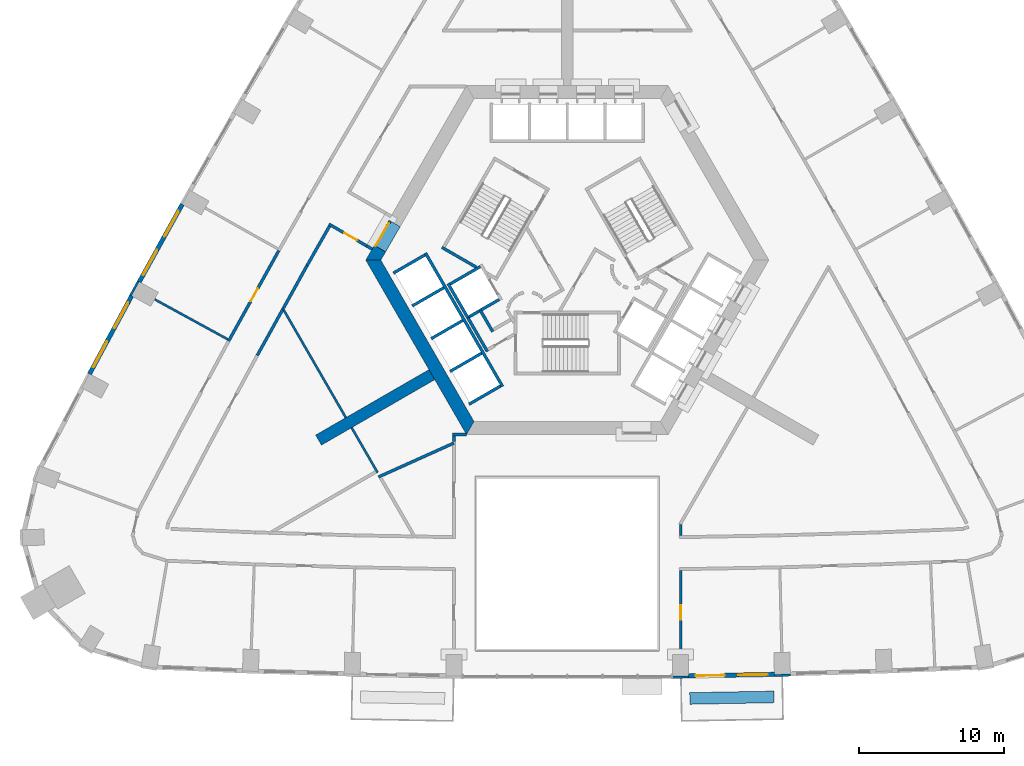
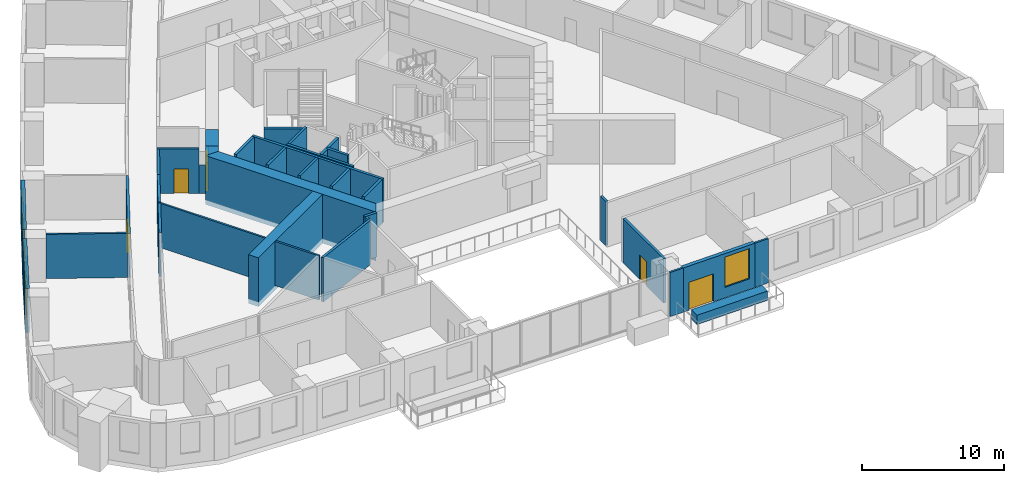
# One storey, part 5 of 13: 38 walls, 5 doors, 5 windows, 10 openings.
"""IFC4 building model written with IfcOpenShell, lengths in metres."""

from ifc_helpers import new_model, si_unit, direction, frame, frame_2d, origin, place, context, subcontext, project, spatial, polyline, rectangle, outline, extrude, material, layer, layer_set, type_object, element, fill, save


model = new_model("IFC4")

# Units and contexts
model_context = context("Model", 3, precision=1e-05, world=origin(), true_north=direction((0.0, 1.0)))
body_context = subcontext(model_context, "Body", "Model", "MODEL_VIEW")
ifc_project = project(units=[si_unit("LENGTHUNIT", "METRE"), si_unit("AREAUNIT", "SQUARE_METRE"), si_unit("VOLUMEUNIT", "CUBIC_METRE"), si_unit("PLANEANGLEUNIT", "RADIAN"), si_unit("MASSUNIT", "GRAM", prefix="KILO")], contexts=[model_context])

# Site, building, storey
site_placement = place(None, origin())
site = spatial("IfcSite", under=ifc_project, at=site_placement, CompositionType="ELEMENT")
building_placement = place(site_placement, origin())
building = spatial("IfcBuilding", under=site, at=building_placement, Name="Entoto Arch Interchange Tower", CompositionType="ELEMENT")
storey_placement = place(building_placement, frame((0.0, 0.0, 90.800048828125)))
storey = spatial("IfcBuildingStorey", under=building, at=storey_placement, Name="L19", CompositionType="ELEMENT", Elevation=90.800048828125)

# Wall
ifc_material_1 = material(Name="Concrete C60/75", Category="concrete")
ifc_layer_1 = layer(ifc_material_1, 0.800048828125)
ifc_layer_set_1 = layer_set([ifc_layer_1], Name="Concrete C60/75")
wall_type_1 = type_object("IfcWallType", Name="Buttress wall 800 C60/75", PredefinedType="SHEAR", material=ifc_layer_set_1)
wall_1_placement = place(storey_placement, frame((-9.31005859375, -5.375, -0.400146484375), z_axis=(0.0, 0.0, 1.0), x_axis=(-0.866017533419, -0.500013631625, 0.0)))
element("IfcWall", 1, at=wall_1_placement, inside=storey, type_object=wall_type_1, Name="Buttress wall SW L19", PredefinedType="SHEAR", context=body_context, shape_type="SweptSolid", body=[
    extrude(rectangle(XDim=8.999755859375, YDim=0.800048828125, at=frame_2d((4.5, 0.0))), origin(), (0.0, 0.0, 1.0), 4.2001953125),
])

# Wall, opening, door
ifc_material_2 = material(Name="Reinforced concrete C40/50", Category="concrete")
ifc_layer_2 = layer(ifc_material_2, 0.199951171875)
ifc_layer_set_2 = layer_set([ifc_layer_2], Name="Reinforced concrete C40/50")
wall_type_2 = type_object("IfcWallType", Name="CORE GAP INFILL WALL", PredefinedType="PARTITIONING", material=ifc_layer_set_2)
wall_2_placement = place(storey_placement, frame((-12.179931640625, 5.201904296875, 0.0), z_axis=(0.0, 0.0, 1.0), x_axis=(-0.50002537861, -0.866010750942, 0.0)))
wall_2 = element("IfcWall", 2, at=wall_2_placement, inside=storey, type_object=wall_type_2, Name="wall:L19:gap3", PredefinedType="PARTITIONING", context=body_context, shape_type="SweptSolid", body=[
    extrude(rectangle(XDim=2.0, YDim=0.199951171875, at=frame_2d((1.0, 0.0))), origin(), (0.0, 0.0, 1.0), 2.39990234375),
])
opening_1_placement = place(wall_2_placement, frame((0.18994140625, 0.0, 0.0)))
opening_1 = element("IfcOpeningElement", 3, at=opening_1_placement, cuts=wall_2, Name="Opening L19-D93", PredefinedType="OPENING", context=body_context, shape_type="SweptSolid", body=[
    extrude(rectangle(XDim=1.800048828125, YDim=2.10009765625, at=frame_2d((0.89990234375, 1.050048828125))), frame((0.0, 0.10986328125, 0.0), z_axis=(0.0, -1.0, 0.0), x_axis=(1.0, 0.0, 0.0)), (0.0, 0.0, 1.0), 0.219970703125),
])
ifc_material_3 = material(Name="Fire-rated Steel S235 door and frame", Category="steel")
door_type_1 = type_object("IfcDoorType", Name="DOOR FD-18 1800x2100", OperationType="DOUBLE_DOOR_SINGLE_SWING", PredefinedType="DOOR", material=ifc_material_3)
door_1_placement = place(opening_1_placement, origin())
door_1 = element("IfcDoor", 4, at=door_1_placement, inside=storey, type_object=door_type_1, Name="door:L19:gap3", OperationType="DOUBLE_DOOR_SINGLE_SWING", OverallHeight=2.10009765625, OverallWidth=1.800048828125, PredefinedType="DOOR", context=body_context, shape_type="SweptSolid", body=[
    extrude(rectangle(XDim=1.800048828125, YDim=2.10009765625, at=frame_2d((0.89990234375, 1.050048828125))), frame((0.0, 0.02490234375, 0.0), z_axis=(0.0, -1.0, 0.0), x_axis=(1.0, 0.0, 0.0)), (0.0, 0.0, 1.0), 0.050048828125),
])
fill(opening_1, door_1)

# Walls
ifc_layer_3 = layer(ifc_material_1, 0.89990234375)
ifc_layer_set_3 = layer_set([ifc_layer_3], Name="Concrete C60/75")
wall_type_3 = type_object("IfcWallType", Name="Core wall 900 C60/75", PredefinedType="SHEAR", material=ifc_layer_set_3)
wall_3_placement = place(storey_placement, frame((0.0, 0.0, -0.400146484375)))
element("IfcWall", 5, at=wall_3_placement, inside=storey, type_object=wall_type_3, Name="Core wall NW L19", PredefinedType="SHEAR", context=body_context, shape_type="SweptSolid", body=[
    extrude(outline(polyline([(-12.488037109375, 3.070068359375), (-13.26708984375, 3.52001953125), (-13.85595703125, 2.5), (-12.81689453125, 2.5), (-12.488037109375, 3.070068359375)])), origin(), (0.0, 0.0, 1.0), 4.2001953125),
])
wall_4_placement = place(storey_placement, frame((0.0, 0.0, 3.599853515625)))
element("IfcWall", 6, at=wall_4_placement, inside=storey, type_object=wall_type_3, Name="Core wall lintel NW L19", PredefinedType="SHEAR", context=body_context, shape_type="SweptSolid", body=[
    extrude(outline(polyline([(-13.26708984375, 3.52001953125), (-12.488037109375, 3.070068359375), (-11.488037109375, 4.802001953125), (-12.26708984375, 5.251953125), (-13.26708984375, 3.52001953125)])), origin(), (0.0, 0.0, 1.0), 0.2001953125),
])
wall_5_placement = place(storey_placement, frame((0.0, 0.0, -0.400146484375)))
element("IfcWall", 7, at=wall_5_placement, inside=storey, type_object=wall_type_3, Name="Core wall SW L19", PredefinedType="SHEAR", context=body_context, shape_type="SweptSolid", body=[
    extrude(outline(polyline([(-13.85595703125, 2.5), (-6.927978515625, -9.5), (-6.408935546875, -8.60009765625), (-12.81689453125, 2.5), (-13.85595703125, 2.5)])), origin(), (0.0, 0.0, 1.0), 4.2001953125),
])
ifc_material_4 = material(Name="Concrete C40/50", Category="concrete")
ifc_layer_4 = layer(ifc_material_4, 0.199951171875)
ifc_layer_set_4 = layer_set([ifc_layer_4], Name="Concrete C40/50")
wall_type_4 = type_object("IfcWallType", Name="LIFT SHAFT WALL 200", PredefinedType="STANDARD", material=ifc_layer_set_4)
wall_6_placement = place(storey_placement, frame((-8.19189453125, 0.887939453125, 0.0), z_axis=(0.0, 0.0, 1.0), x_axis=(0.49994636267, -0.866056369097, 0.0)))
element("IfcWall", 8, at=wall_6_placement, inside=storey, type_object=wall_type_4, Name="Shaft wall SW1 back", PredefinedType="STANDARD", context=body_context, shape_type="SweptSolid", body=[
    extrude(rectangle(XDim=2.800048828125, YDim=0.199951171875, at=frame_2d((1.39990234375, 0.0))), origin(), (0.0, 0.0, 1.0), 3.800048828125),
])
for number, where, z_axis, x_axis, name in (
    (9, (-5.97705078125, 2.052001953125, 0.0), (0.0, 0.0, 1.0), (-0.865973769406, -0.500089422704, 0.0), "Shaft wall SW1 cross 1"),
    (10, (-4.677001953125, -0.199951171875, 0.0), (0.0, 0.0, 1.0), (-0.865973769406, -0.500089422704, 0.0), "Shaft wall SW1 cross 2"),
):
    element("IfcWall", number, at=place(storey_placement, frame(where, z_axis=z_axis, x_axis=x_axis)), inside=storey, type_object=wall_type_4, Name=name, PredefinedType="STANDARD", context=body_context, shape_type="SweptSolid", body=[
        extrude(rectangle(XDim=2.3994140625, YDim=0.199951171875, at=frame_2d((1.19970703125, 0.0))), origin(), (0.0, 0.0, 1.0), 3.800048828125),
    ])
wall_7_placement = place(storey_placement, frame((-9.7509765625, 2.989990234375, 0.0), z_axis=(0.0, 0.0, 1.0), x_axis=(0.50000090737, -0.866024879913, 0.0)))
element("IfcWall", 11, at=wall_7_placement, inside=storey, type_object=wall_type_4, Name="Shaft wall SW3 front", PredefinedType="STANDARD", context=body_context, shape_type="SweptSolid", body=[
    extrude(rectangle(XDim=10.60009765625, YDim=0.199951171875, at=frame_2d((5.300048828125, 0.0))), origin(), (0.0, 0.0, 1.0), 3.800048828125),
])
wall_8_placement = place(storey_placement, frame((-9.7880859375, 2.85302734375, 0.0), z_axis=(0.0, 0.0, 1.0), x_axis=(-0.865998541277, -0.500046524342, 0.0)))
element("IfcWall", 12, at=wall_8_placement, inside=storey, type_object=wall_type_4, Name="Shaft wall SW3 cross 1", PredefinedType="STANDARD", context=body_context, shape_type="SweptSolid", body=[
    extrude(rectangle(XDim=2.499755859375, YDim=0.199951171875, at=frame_2d((1.25, 0.0))), origin(), (0.0, 0.0, 1.0), 3.800048828125),
])
for number, where, z_axis, x_axis, name in (
    (13, (-8.488037109375, 0.60205078125, 0.0), (0.0, 0.0, 1.0), (-0.866022959057, -0.500004234368, 0.0), "Shaft wall SW3 cross 2"),
    (14, (-7.18798828125, -1.64990234375, 0.0), (0.0, 0.0, 1.0), (-0.866022959057, -0.500004234368, 0.0), "Shaft wall SW3 cross 3"),
    (15, (-5.887939453125, -3.902099609375, 0.0), (0.0, 0.0, 1.0), (-0.866022959057, -0.500004234368, 0.0), "Shaft wall SW3 cross 4"),
    (16, (-4.587890625, -6.153076171875, 0.0), (0.0, 0.0, 1.0), (-0.866022959057, -0.500004234368, 0.0), "Shaft wall SW3 cross 5"),
):
    element("IfcWall", number, at=place(storey_placement, frame(where, z_axis=z_axis, x_axis=x_axis)), inside=storey, type_object=wall_type_4, Name=name, PredefinedType="STANDARD", context=body_context, shape_type="SweptSolid", body=[
        extrude(rectangle(XDim=2.5, YDim=0.199951171875, at=frame_2d((1.25, 0.0))), origin(), (0.0, 0.0, 1.0), 3.800048828125),
    ])
ifc_material_5 = material(Name="Gypsum board partition on steel studs", Category="steel")
ifc_layer_5 = layer(ifc_material_5, 0.14990234375)
ifc_layer_set_5 = layer_set([ifc_layer_5], Name="Gypsum board partition on steel studs")
wall_type_5 = type_object("IfcWallType", Name="PARTITION 150", PredefinedType="PARTITIONING", material=ifc_layer_set_5)
wall_9_placement = place(storey_placement, frame((-13.04296875, -12.10791015625, 0.0), z_axis=(0.0, 0.0, 1.0), x_axis=(-0.499947764329, 0.866055559963, 0.0)))
element("IfcWall", 17, at=wall_9_placement, inside=storey, type_object=wall_type_5, Name="wall:L19:p108", PredefinedType="PARTITIONING", context=body_context, shape_type="SweptSolid", body=[
    extrude(rectangle(XDim=3.564453125, YDim=0.14990234375, at=frame_2d((1.7822265625, 0.0))), origin(), (0.0, 0.0, 1.0), 3.800048828125),
])
wall_10_placement = place(storey_placement, frame((-23.3359375, -2.949951171875, 0.0), z_axis=(0.0, 0.0, 1.0), x_axis=(-0.877455496162, 0.479658057637, 0.0)))
element("IfcWall", 18, at=wall_10_placement, inside=storey, type_object=wall_type_5, Name="wall:L19:p127", PredefinedType="PARTITIONING", context=body_context, shape_type="SweptSolid", body=[
    extrude(rectangle(XDim=5.729248046875, YDim=0.14990234375, at=frame_2d((2.86474609375, 0.0))), origin(), (0.0, 0.0, 1.0), 3.800048828125),
])
wall_11_placement = place(storey_placement, frame((-15.22509765625, -8.327880859375, 0.0), z_axis=(0.0, 0.0, 1.0), x_axis=(-0.500038648455, 0.866003088939, 0.0)))
element("IfcWall", 19, at=wall_11_placement, inside=storey, type_object=wall_type_5, Name="wall:L19:p108", PredefinedType="PARTITIONING", context=body_context, shape_type="SweptSolid", body=[
    extrude(rectangle(XDim=8.733154296875, YDim=0.14990234375, at=frame_2d((4.36669921875, 0.0))), origin(), (0.0, 0.0, 1.0), 3.800048828125),
])
ifc_layer_6 = layer(ifc_material_5, 0.199951171875)
ifc_layer_set_6 = layer_set([ifc_layer_6], Name="Gypsum board partition on steel studs")
wall_type_6 = type_object("IfcWallType", Name="PARTITION 200", PredefinedType="PARTITIONING", material=ifc_layer_set_6)
wall_12_placement = place(storey_placement, frame((-17.883056640625, 2.14306640625, 0.0), z_axis=(0.0, 0.0, 1.0), x_axis=(-0.484695523805, -0.874682942101, 0.0)))
element("IfcWall", 20, at=wall_12_placement, inside=storey, type_object=wall_type_6, Name="wall:L19:p019", PredefinedType="PARTITIONING", context=body_context, shape_type="SweptSolid", body=[
    extrude(rectangle(XDim=3.3486328125, YDim=0.199951171875, at=frame_2d((1.67431640625, 0.0))), origin(), (0.0, 0.0, 1.0), 3.800048828125),
])
wall_13_placement = place(storey_placement, frame((-13.4169921875, 3.260009765625, 0.0), z_axis=(0.0, 0.0, 1.0), x_axis=(-0.866032067792, 0.499988457423, 0.0)))
element("IfcWall", 21, at=wall_13_placement, inside=storey, type_object=wall_type_6, Name="wall:L19:p020", PredefinedType="PARTITIONING", context=body_context, shape_type="SweptSolid", body=[
    extrude(rectangle(XDim=0.4501953125, YDim=0.199951171875, at=frame_2d((0.22509765625, 0.0))), origin(), (0.0, 0.0, 1.0), 2.39990234375),
])
wall_14_placement = place(storey_placement, frame((-16.347900390625, 4.8369140625, 0.0), z_axis=(0.0, 0.0, 1.0), x_axis=(-0.495121026513, -0.868824015037, 0.0)))
element("IfcWall", 22, at=wall_14_placement, inside=storey, type_object=wall_type_6, Name="wall:L19:p021", PredefinedType="PARTITIONING", context=body_context, shape_type="SweptSolid", body=[
    extrude(rectangle(XDim=3.1005859375, YDim=0.199951171875, at=frame_2d((1.55029296875, 0.0))), origin(), (0.0, 0.0, 1.0), 3.800048828125),
])
wall_15_placement = place(storey_placement, frame((-19.5791015625, -0.9169921875, 0.0), z_axis=(0.0, 0.0, 1.0), x_axis=(-0.484700239797, -0.874680328772, 0.0)))
element("IfcWall", 23, at=wall_15_placement, inside=storey, type_object=wall_type_6, Name="wall:L19:p023", PredefinedType="PARTITIONING", context=body_context, shape_type="SweptSolid", body=[
    extrude(rectangle(XDim=3.585205078125, YDim=0.199951171875, at=frame_2d((1.79248046875, 0.0))), origin(), (0.0, 0.0, 1.0), 3.800048828125),
])

# Wall, opening, door
wall_16_placement = place(storey_placement, frame((-23.283935546875, -3.06396484375, 0.0), z_axis=(0.0, 0.0, 1.0), x_axis=(0.48478560119, 0.874633020689, 0.0)))
wall_16 = element("IfcWall", 24, at=wall_16_placement, inside=storey, type_object=wall_type_6, Name="wall:L19:p056", PredefinedType="PARTITIONING", context=body_context, shape_type="SweptSolid", body=[
    extrude(rectangle(XDim=7.1103515625, YDim=0.199951171875, at=frame_2d((3.55517578125, 0.0))), origin(), (0.0, 0.0, 1.0), 3.800048828125),
])
opening_2_placement = place(wall_16_placement, frame((3.1298828125, 0.0, 0.0)))
opening_2 = element("IfcOpeningElement", 25, at=opening_2_placement, cuts=wall_16, Name="Opening L19-D17", PredefinedType="OPENING", context=body_context, shape_type="SweptSolid", body=[
    extrude(rectangle(XDim=1.0, YDim=2.10009765625, at=frame_2d((0.5, 1.050048828125))), frame((0.0, 0.10986328125, 0.0), z_axis=(0.0, -1.0, 0.0), x_axis=(1.0, 0.0, 0.0)), (0.0, 0.0, 1.0), 0.219970703125),
])
ifc_material_6 = material(Name="Timber door leaf in Steel S235 frame", Category="steel")
door_type_2 = type_object("IfcDoorType", Name="DOOR DS-10 1000x2100", OperationType="SINGLE_SWING_LEFT", PredefinedType="DOOR", material=ifc_material_6)
door_2_placement = place(opening_2_placement, origin())
door_2 = element("IfcDoor", 26, at=door_2_placement, inside=storey, type_object=door_type_2, Name="door:L19:17", OperationType="SINGLE_SWING_LEFT", OverallHeight=2.10009765625, OverallWidth=1.0, PredefinedType="DOOR", context=body_context, shape_type="SweptSolid", body=[
    extrude(rectangle(XDim=1.0, YDim=2.10009765625, at=frame_2d((0.5, 1.050048828125))), frame((0.0, 0.02490234375, 0.0), z_axis=(0.0, -1.0, 0.0), x_axis=(1.0, 0.0, 0.0)), (0.0, 0.0, 1.0), 0.050048828125),
])
fill(opening_2, door_2)

# Walls
wall_17_placement = place(storey_placement, frame((-5.1259765625, -2.422119140625, 0.0), z_axis=(0.0, 0.0, 1.0), x_axis=(-0.500062241894, 0.865989465428, 0.0)))
element("IfcWall", 27, at=wall_17_placement, inside=storey, type_object=wall_type_6, Name="wall:L19:p073", PredefinedType="PARTITIONING", context=body_context, shape_type="SweptSolid", body=[
    extrude(rectangle(XDim=1.699951171875, YDim=0.199951171875, at=frame_2d((0.85009765625, 0.0))), origin(), (0.0, 0.0, 1.0), 3.800048828125),
])
wall_18_placement = place(storey_placement, frame((-5.491943359375, -3.7880859375, 0.0), z_axis=(0.0, 0.0, 1.0), x_axis=(-0.500008949224, 0.866020236886, 0.0)))
element("IfcWall", 28, at=wall_18_placement, inside=storey, type_object=wall_type_6, Name="wall:L19:p075", PredefinedType="PARTITIONING", context=body_context, shape_type="SweptSolid", body=[
    extrude(rectangle(XDim=2.68017578125, YDim=0.199951171875, at=frame_2d((1.340087890625, 0.0))), origin(), (0.0, 0.0, 1.0), 3.800048828125),
])
wall_19_placement = place(storey_placement, frame((7.800048828125, -15.68994140625, 0.0), z_axis=(0.0, 0.0, 1.0), x_axis=(0.0, -1.0, 0.0)))
element("IfcWall", 29, at=wall_19_placement, inside=storey, type_object=wall_type_6, Name="wall:L19:p093", PredefinedType="PARTITIONING", context=body_context, shape_type="SweptSolid", body=[
    extrude(rectangle(XDim=0.759033203125, YDim=0.199951171875, at=frame_2d((0.37939453125, 0.0))), origin(), (0.0, 0.0, 1.0), 3.800048828125),
])
wall_20_placement = place(storey_placement, frame((-7.800048828125, -9.97998046875, 0.0), z_axis=(0.0, 0.0, 1.0), x_axis=(0.0, 1.0, 0.0)))
element("IfcWall", 30, at=wall_20_placement, inside=storey, type_object=wall_type_6, Name="wall:L19:p094", PredefinedType="PARTITIONING", context=body_context, shape_type="SweptSolid", body=[
    extrude(rectangle(XDim=0.380859375, YDim=0.199951171875, at=frame_2d((0.1904296875, 0.0))), origin(), (0.0, 0.0, 1.0), 3.800048828125),
])
wall_21_placement = place(storey_placement, frame((-7.89990234375, -9.4990234375, 0.0), z_axis=(0.0, 0.0, 1.0), x_axis=(1.0, 0.0, 0.0)))
element("IfcWall", 31, at=wall_21_placement, inside=storey, type_object=wall_type_6, Name="wall:L19:p095", PredefinedType="PARTITIONING", context=body_context, shape_type="SweptSolid", body=[
    extrude(rectangle(XDim=0.970947265625, YDim=0.199951171875, at=frame_2d((0.4853515625, 0.0))), origin(), (0.0, 0.0, 1.0), 3.800048828125),
])

# Wall, opening, door
wall_22_placement = place(storey_placement, frame((7.800048828125, -18.85009765625, 0.0), z_axis=(0.0, 0.0, 1.0), x_axis=(0.0, -1.0, 0.0)))
wall_22 = element("IfcWall", 32, at=wall_22_placement, inside=storey, type_object=wall_type_6, Name="wall:L19:p097", PredefinedType="PARTITIONING", context=body_context, shape_type="SweptSolid", body=[
    extrude(rectangle(XDim=5.73095703125, YDim=0.199951171875, at=frame_2d((2.865478515625, 0.0))), origin(), (0.0, 0.0, 1.0), 3.800048828125),
])
opening_3_placement = place(wall_22_placement, frame((2.365966796875, 0.0, 0.0)))
opening_3 = element("IfcOpeningElement", 33, at=opening_3_placement, cuts=wall_22, Name="Opening L19-D01", PredefinedType="OPENING", context=body_context, shape_type="SweptSolid", body=[
    extrude(rectangle(XDim=1.0, YDim=2.10009765625, at=frame_2d((0.5, 1.050048828125))), frame((0.0, 0.10986328125, 0.0), z_axis=(0.0, -1.0, 0.0), x_axis=(1.0, 0.0, 0.0)), (0.0, 0.0, 1.0), 0.219970703125),
])
door_3_placement = place(opening_3_placement, origin())
door_3 = element("IfcDoor", 34, at=door_3_placement, inside=storey, type_object=door_type_2, Name="door:L19:01", OperationType="SINGLE_SWING_LEFT", OverallHeight=2.10009765625, OverallWidth=1.0, PredefinedType="DOOR", context=body_context, shape_type="SweptSolid", body=[
    extrude(rectangle(XDim=1.0, YDim=2.10009765625, at=frame_2d((0.5, 1.050048828125))), frame((0.0, 0.02490234375, 0.0), z_axis=(0.0, -1.0, 0.0), x_axis=(1.0, 0.0, 0.0)), (0.0, 0.0, 1.0), 0.050048828125),
])
fill(opening_3, door_3)

# Wall
wall_23_placement = place(storey_placement, frame((-7.800048828125, -10.080078125, 0.0), z_axis=(0.0, 0.0, 1.0), x_axis=(-0.911938383636, -0.410327167577, 0.0)))
element("IfcWall", 35, at=wall_23_placement, inside=storey, type_object=wall_type_6, Name="wall:L19:p107", PredefinedType="PARTITIONING", context=body_context, shape_type="SweptSolid", body=[
    extrude(rectangle(XDim=5.683349609375, YDim=0.199951171875, at=frame_2d((2.841796875, 0.0))), origin(), (0.0, 0.0, 1.0), 3.800048828125),
])

# Wall, opening, door
wall_24_placement = place(storey_placement, frame((-13.806884765625, 3.485107421875, 0.0), z_axis=(0.0, 0.0, 1.0), x_axis=(-0.865947944451, 0.500134139508, 0.0)))
wall_24 = element("IfcWall", 36, at=wall_24_placement, inside=storey, type_object=wall_type_6, Name="wall:L19:p020", PredefinedType="PARTITIONING", context=body_context, shape_type="SweptSolid", body=[
    extrude(rectangle(XDim=2.977294921875, YDim=0.199951171875, at=frame_2d((1.48876953125, 0.0))), origin(), (0.0, 0.0, 1.0), 3.800048828125),
])
opening_4_placement = place(wall_24_placement, frame((0.763916015625, 0.0, 0.0)))
opening_4 = element("IfcOpeningElement", 37, at=opening_4_placement, cuts=wall_24, Name="Opening L19-D28", PredefinedType="OPENING", context=body_context, shape_type="SweptSolid", body=[
    extrude(rectangle(XDim=1.0, YDim=2.10009765625, at=frame_2d((0.5, 1.050048828125))), frame((0.0, 0.10986328125, 0.0), z_axis=(0.0, -1.0, 0.0), x_axis=(1.0, 0.0, 0.0)), (0.0, 0.0, 1.0), 0.219970703125),
])
door_4_placement = place(opening_4_placement, origin())
door_4 = element("IfcDoor", 38, at=door_4_placement, inside=storey, type_object=door_type_2, Name="door:L19:28", OperationType="SINGLE_SWING_LEFT", OverallHeight=2.10009765625, OverallWidth=1.0, PredefinedType="DOOR", context=body_context, shape_type="SweptSolid", body=[
    extrude(rectangle(XDim=1.0, YDim=2.10009765625, at=frame_2d((0.5, 1.050048828125))), frame((0.0, 0.02490234375, 0.0), z_axis=(0.0, -1.0, 0.0), x_axis=(1.0, 0.0, 0.0)), (0.0, 0.0, 1.0), 0.050048828125),
])
fill(opening_4, door_4)

# Walls
ifc_material_7 = material(Name="Board-marked precast concrete C50/60", Category="concrete")
ifc_layer_7 = layer(ifc_material_7, 0.800048828125)
ifc_layer_set_7 = layer_set([ifc_layer_7], Name="Board-marked precast concrete C50/60")
wall_type_7 = type_object("IfcWallType", Name="PLANTER RC 800 Afrocarpus falcatus", PredefinedType="STANDARD", material=ifc_layer_set_7)
wall_25_placement = place(storey_placement, frame((8.426025390625, -27.639892578125, 0.0), z_axis=(0.0, 0.0, 1.0), x_axis=(0.999829787181, 0.018449841877, 0.0)))
element("IfcWall", 39, at=wall_25_placement, inside=storey, type_object=wall_type_7, Name="Planter S-05 L19", PredefinedType="STANDARD", context=body_context, shape_type="SweptSolid", body=[
    extrude(rectangle(XDim=5.7958984375, YDim=0.800048828125, at=frame_2d((2.89794921875, 0.0))), origin(), (0.0, 0.0, 1.0), 0.800048828125),
])
ifc_layer_8 = layer(ifc_material_4, 0.199951171875)
ifc_layer_set_8 = layer_set([ifc_layer_8], Name="Concrete C40/50")
wall_type_8 = type_object("IfcWallType", Name="STAIR ENCLOSURE WALL 200", PredefinedType="STANDARD", material=ifc_layer_set_8)
wall_26_placement = place(storey_placement, frame((-6.25, 2.010009765625, 0.0), z_axis=(0.0, 0.0, 1.0), x_axis=(-0.86611865017, 0.499838457731, 0.0)))
element("IfcWall", 40, at=wall_26_placement, inside=storey, type_object=wall_type_8, Name="Stair wall ST-NW far", PredefinedType="STANDARD", context=body_context, shape_type="SweptSolid", body=[
    extrude(rectangle(XDim=2.73291015625, YDim=0.199951171875, at=frame_2d((1.366455078125, 0.0))), origin(), (0.0, 0.0, 1.0), 3.800048828125),
])

# Wall, openings, door, window
ifc_material_8 = material(Name="Welded tuff (ignimbrite) cladding, warm buff", Category="masonry")
ifc_layer_9 = layer(ifc_material_8, 0.300048828125)
ifc_layer_set_9 = layer_set([ifc_layer_9], Name="Welded tuff (ignimbrite) cladding, warm buff")
wall_type_9 = type_object("IfcWallType", Name="STONE INFILL WALL 300", PredefinedType="STANDARD", material=ifc_layer_set_9)
wall_27_placement = place(storey_placement, frame((8.347900390625, -26.091064453125, 0.0), z_axis=(0.0, 0.0, 1.0), x_axis=(0.999828633111, 0.018512277318, 0.0)))
wall_27 = element("IfcWall", 41, at=wall_27_placement, inside=storey, type_object=wall_type_9, Name="Facade wall S-05 L19", PredefinedType="STANDARD", context=body_context, shape_type="SweptSolid", body=[
    extrude(rectangle(XDim=5.89501953125, YDim=0.300048828125, at=frame_2d((2.947509765625, 0.0))), origin(), (0.0, 0.0, 1.0), 3.800048828125),
])
opening_5_placement = place(wall_27_placement, frame((0.47412109375, 0.0, 0.0)))
opening_5 = element("IfcOpeningElement", 42, at=opening_5_placement, cuts=wall_27, Name="Opening DB-S-05-L19", PredefinedType="OPENING", context=body_context, shape_type="SweptSolid", body=[
    extrude(rectangle(XDim=2.0, YDim=2.39990234375, at=frame_2d((1.0, 1.199951171875))), frame((0.0, 0.16015625, 0.0), z_axis=(0.0, -1.0, 0.0), x_axis=(1.0, 0.0, 0.0)), (0.0, 0.0, 1.0), 0.320068359375),
])
opening_6_placement = place(wall_27_placement, frame((3.4208984375, 0.0, 0.89990234375)))
opening_6 = element("IfcOpeningElement", 43, at=opening_6_placement, cuts=wall_27, Name="Opening WO-C", PredefinedType="OPENING", context=body_context, shape_type="SweptSolid", body=[
    extrude(rectangle(XDim=2.0, YDim=2.60009765625, at=frame_2d((1.0, 1.300048828125))), frame((0.0, 0.16015625, 0.0), z_axis=(0.0, -1.0, 0.0), x_axis=(1.0, 0.0, 0.0)), (0.0, 0.0, 1.0), 0.320068359375),
])
ifc_material_9 = material(Name="Aluminium and clear glass, anodised", Category="aluminium")
door_type_3 = type_object("IfcDoorType", Name="BALCONY DOOR DB 2000x2400", OperationType="SLIDING_TO_LEFT", PredefinedType="DOOR", material=ifc_material_9)
door_5_placement = place(opening_5_placement, origin())
door_5 = element("IfcDoor", 44, at=door_5_placement, inside=storey, type_object=door_type_3, Name="Balcony door S-05 L19", OperationType="SLIDING_TO_LEFT", OverallHeight=2.39990234375, OverallWidth=2.0, PredefinedType="DOOR", context=body_context, shape_type="SweptSolid", body=[
    extrude(rectangle(XDim=2.0, YDim=2.39990234375, at=frame_2d((1.0, 1.199951171875))), frame((0.0, 0.02490234375, 0.0), z_axis=(0.0, -1.0, 0.0), x_axis=(1.0, 0.0, 0.0)), (0.0, 0.0, 1.0), 0.050048828125),
])
fill(opening_5, door_5)
ifc_material_10 = material(Name="Clear glass, low-e double glazed", Category="glass")
window_type = type_object("IfcWindowType", Name="WINDOW WO-C 2000x2600", PartitioningType="DOUBLE_PANEL_VERTICAL", PredefinedType="WINDOW", material=ifc_material_10)
window_1_placement = place(opening_6_placement, origin())
window_1 = element("IfcWindow", 45, at=window_1_placement, inside=storey, type_object=window_type, Name="Window WO-C S-05 L19", OverallHeight=2.60009765625, OverallWidth=2.0, PartitioningType="SINGLE_PANEL", PredefinedType="WINDOW", context=body_context, shape_type="SweptSolid", body=[
    extrude(rectangle(XDim=2.0, YDim=2.60009765625, at=frame_2d((1.0, 1.300048828125))), frame((0.0, 0.030029296875, 0.0), z_axis=(0.0, -1.0, 0.0), x_axis=(1.0, 0.0, 0.0)), (0.0, 0.0, 1.0), 0.06005859375),
])
fill(opening_6, window_1)

# Wall, openings, windows
wall_28_placement = place(storey_placement, frame((-26.47412109375, 6.341064453125, 0.0), z_axis=(0.0, 0.0, 1.0), x_axis=(-0.484823579315, -0.874611969356, 0.0)))
wall_28 = element("IfcWall", 46, at=wall_28_placement, inside=storey, type_object=wall_type_9, Name="Facade wall NW-06 L19", PredefinedType="STANDARD", context=body_context, shape_type="SweptSolid", body=[
    extrude(rectangle(XDim=6.0986328125, YDim=0.300048828125, at=frame_2d((3.04931640625, 0.0))), origin(), (0.0, 0.0, 1.0), 3.800048828125),
])
opening_7_placement = place(wall_28_placement, frame((0.52490234375, 0.0, 0.89990234375)))
opening_7 = element("IfcOpeningElement", 47, at=opening_7_placement, cuts=wall_28, Name="Opening WO-C", PredefinedType="OPENING", context=body_context, shape_type="SweptSolid", body=[
    extrude(rectangle(XDim=2.0, YDim=2.60009765625, at=frame_2d((1.0, 1.300048828125))), frame((0.0, 0.16015625, 0.0), z_axis=(0.0, -1.0, 0.0), x_axis=(1.0, 0.0, 0.0)), (0.0, 0.0, 1.0), 0.320068359375),
])
opening_8_placement = place(wall_28_placement, frame((3.573974609375, 0.0, 0.89990234375)))
opening_8 = element("IfcOpeningElement", 48, at=opening_8_placement, cuts=wall_28, Name="Opening WO-C", PredefinedType="OPENING", context=body_context, shape_type="SweptSolid", body=[
    extrude(rectangle(XDim=2.0, YDim=2.60009765625, at=frame_2d((1.0, 1.300048828125))), frame((0.0, 0.16015625, 0.0), z_axis=(0.0, -1.0, 0.0), x_axis=(1.0, 0.0, 0.0)), (0.0, 0.0, 1.0), 0.320068359375),
])
window_2_placement = place(opening_7_placement, origin())
window_2 = element("IfcWindow", 49, at=window_2_placement, inside=storey, type_object=window_type, Name="Window WO-C NW-06 L19", OverallHeight=2.60009765625, OverallWidth=2.0, PartitioningType="SINGLE_PANEL", PredefinedType="WINDOW", context=body_context, shape_type="SweptSolid", body=[
    extrude(rectangle(XDim=2.0, YDim=2.60009765625, at=frame_2d((1.0, 1.300048828125))), frame((0.0, 0.030029296875, 0.0), z_axis=(0.0, -1.0, 0.0), x_axis=(1.0, 0.0, 0.0)), (0.0, 0.0, 1.0), 0.06005859375),
])
fill(opening_7, window_2)
window_3_placement = place(opening_8_placement, origin())
window_3 = element("IfcWindow", 50, at=window_3_placement, inside=storey, type_object=window_type, Name="Window WO-C NW-06 L19", OverallHeight=2.60009765625, OverallWidth=2.0, PartitioningType="SINGLE_PANEL", PredefinedType="WINDOW", context=body_context, shape_type="SweptSolid", body=[
    extrude(rectangle(XDim=2.0, YDim=2.60009765625, at=frame_2d((1.0, 1.300048828125))), frame((0.0, 0.030029296875, 0.0), z_axis=(0.0, -1.0, 0.0), x_axis=(1.0, 0.0, 0.0)), (0.0, 0.0, 1.0), 0.06005859375),
])
fill(opening_8, window_3)

wall_29_placement = place(storey_placement, frame((-29.9580078125, 0.0439453125, 0.0), z_axis=(0.0, 0.0, 1.0), x_axis=(-0.474369552216, -0.880325807829, 0.0)))
wall_29 = element("IfcWall", 51, at=wall_29_placement, inside=storey, type_object=wall_type_9, Name="Facade wall NW-07 L19", PredefinedType="STANDARD", context=body_context, shape_type="SweptSolid", body=[
    extrude(rectangle(XDim=6.098876953125, YDim=0.300048828125, at=frame_2d((3.04931640625, 0.0))), origin(), (0.0, 0.0, 1.0), 3.800048828125),
])
opening_9_placement = place(wall_29_placement, frame((0.52490234375, 0.0, 0.89990234375)))
opening_9 = element("IfcOpeningElement", 52, at=opening_9_placement, cuts=wall_29, Name="Opening WO-C", PredefinedType="OPENING", context=body_context, shape_type="SweptSolid", body=[
    extrude(rectangle(XDim=2.0, YDim=2.60009765625, at=frame_2d((1.0, 1.300048828125))), frame((0.0, 0.16015625, 0.0), z_axis=(0.0, -1.0, 0.0), x_axis=(1.0, 0.0, 0.0)), (0.0, 0.0, 1.0), 0.320068359375),
])
opening_10_placement = place(wall_29_placement, frame((3.573974609375, 0.0, 0.89990234375)))
opening_10 = element("IfcOpeningElement", 53, at=opening_10_placement, cuts=wall_29, Name="Opening WO-C", PredefinedType="OPENING", context=body_context, shape_type="SweptSolid", body=[
    extrude(rectangle(XDim=2.0, YDim=2.60009765625, at=frame_2d((1.0, 1.300048828125))), frame((0.0, 0.16015625, 0.0), z_axis=(0.0, -1.0, 0.0), x_axis=(1.0, 0.0, 0.0)), (0.0, 0.0, 1.0), 0.320068359375),
])
window_4_placement = place(opening_9_placement, origin())
window_4 = element("IfcWindow", 54, at=window_4_placement, inside=storey, type_object=window_type, Name="Window WO-C NW-07 L19", OverallHeight=2.60009765625, OverallWidth=2.0, PartitioningType="SINGLE_PANEL", PredefinedType="WINDOW", context=body_context, shape_type="SweptSolid", body=[
    extrude(rectangle(XDim=2.0, YDim=2.60009765625, at=frame_2d((1.0, 1.300048828125))), frame((0.0, 0.030029296875, 0.0), z_axis=(0.0, -1.0, 0.0), x_axis=(1.0, 0.0, 0.0)), (0.0, 0.0, 1.0), 0.06005859375),
])
fill(opening_9, window_4)
window_5_placement = place(opening_10_placement, origin())
window_5 = element("IfcWindow", 55, at=window_5_placement, inside=storey, type_object=window_type, Name="Window WO-C NW-07 L19", OverallHeight=2.60009765625, OverallWidth=2.0, PartitioningType="SINGLE_PANEL", PredefinedType="WINDOW", context=body_context, shape_type="SweptSolid", body=[
    extrude(rectangle(XDim=2.0, YDim=2.60009765625, at=frame_2d((1.0, 1.300048828125))), frame((0.0, 0.030029296875, 0.0), z_axis=(0.0, -1.0, 0.0), x_axis=(1.0, 0.0, 0.0)), (0.0, 0.0, 1.0), 0.06005859375),
])
fill(opening_10, window_5)

# Walls
ifc_layer_10 = layer(ifc_material_8, 0.14990234375)
ifc_layer_set_10 = layer_set([ifc_layer_10], Name="Welded tuff (ignimbrite) cladding, warm buff")
wall_type_10 = type_object("IfcWallType", Name="STONE PIER CLADDING 150", PredefinedType="STANDARD", material=ifc_layer_set_10)
wall_30_placement = place(storey_placement, frame((-29.4990234375, 1.0458984375, 0.0), z_axis=(0.0, 0.0, 1.0), x_axis=(-0.479737645119, -0.877411985247, 0.0)))
element("IfcWall", 56, at=wall_30_placement, inside=storey, type_object=wall_type_10, Name="Stone pier NW07 L19", PredefinedType="STANDARD", context=body_context, shape_type="SweptSolid", body=[
    extrude(rectangle(XDim=1.100830078125, YDim=0.14990234375, at=frame_2d((0.55029296875, 0.0))), origin(), (0.0, 0.0, 1.0), 3.800048828125),
])
wall_31_placement = place(storey_placement, frame((7.2490234375, -26.180908203125, 0.0), z_axis=(0.0, 0.0, 1.0), x_axis=(0.99995860686, 0.009098602504, 0.0)))
element("IfcWall", 57, at=wall_31_placement, inside=storey, type_object=wall_type_10, Name="Stone pier S05 L19", PredefinedType="STANDARD", context=body_context, shape_type="SweptSolid", body=[
    extrude(rectangle(XDim=1.10009765625, YDim=0.14990234375, at=frame_2d((0.550048828125, 0.0))), origin(), (0.0, 0.0, 1.0), 3.800048828125),
])
wall_32_placement = place(storey_placement, frame((14.242919921875, -26.06005859375, 0.0), z_axis=(0.0, 0.0, 1.0), x_axis=(0.999718180159, 0.023739424163, 0.0)))
element("IfcWall", 58, at=wall_32_placement, inside=storey, type_object=wall_type_10, Name="Stone pier S06 L19", PredefinedType="STANDARD", context=body_context, shape_type="SweptSolid", body=[
    extrude(rectangle(XDim=1.100341796875, YDim=0.14990234375, at=frame_2d((0.55029296875, 0.0))), origin(), (0.0, 0.0, 1.0), 3.800048828125),
])

save(model, "model.ifc")
